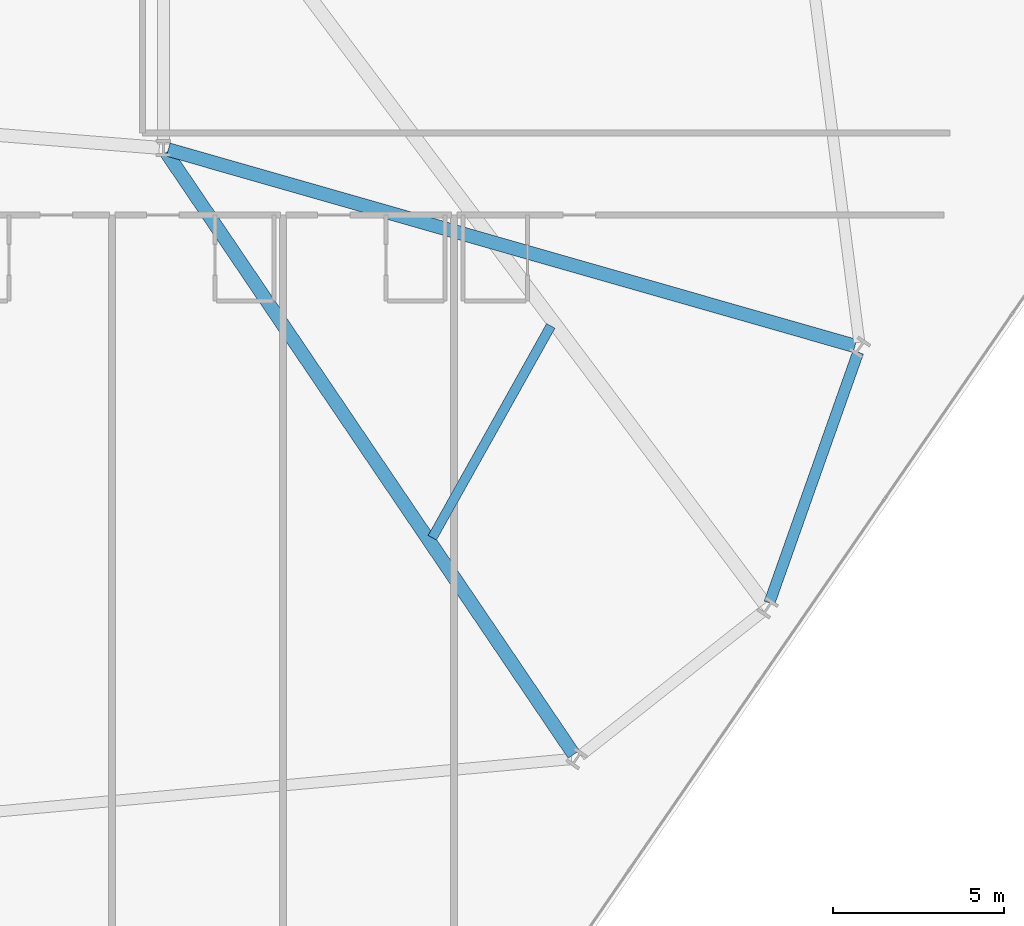
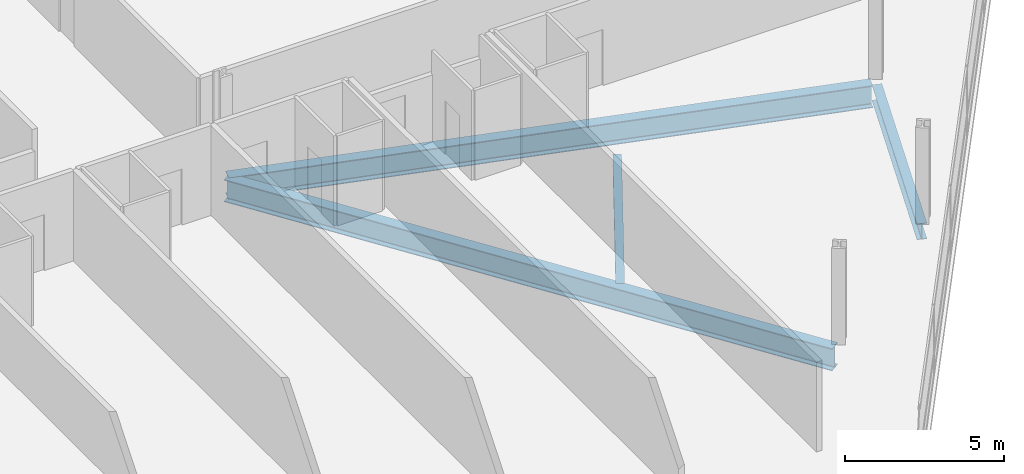
# One storey, part 10 of 27: 4 beams.
"""IFC4 building model written with IfcOpenShell, lengths in metres."""

from ifc_helpers import new_model, si_unit, direction, frame, origin, origin_2d, place, context, subcontext, project, spatial, i_section, extrude, material, material_profile, profile_set, type_object, element, save


model = new_model("IFC4")

# Units and contexts
model_context = context("Model", 3, precision=1e-05, world=origin(), true_north=direction((0.0, 1.0)))
body_context = subcontext(model_context, "Body", "Model", "MODEL_VIEW")
ifc_project = project(units=[si_unit("LENGTHUNIT", "METRE"), si_unit("AREAUNIT", "SQUARE_METRE"), si_unit("VOLUMEUNIT", "CUBIC_METRE"), si_unit("PLANEANGLEUNIT", "RADIAN"), si_unit("MASSUNIT", "GRAM", prefix="KILO")], contexts=[model_context])

# Site, building, storey
site_placement = place(None, origin())
site = spatial("IfcSite", under=ifc_project, at=site_placement, CompositionType="ELEMENT")
building_placement = place(site_placement, origin())
building = spatial("IfcBuilding", under=site, at=building_placement, Name="Varnelok Gate Tower", CompositionType="ELEMENT")
storey_placement = place(building_placement, frame((0.0, 0.0, 30.699951171875)))
storey = spatial("IfcBuildingStorey", under=building, at=storey_placement, Name="L06", CompositionType="ELEMENT", Elevation=30.699951171875)

# Beams
ifc_material = material(Name="Structural Steel ASTM A992 Grade 50", Category="steel")
ifc_material_profile_1 = material_profile(ifc_material, i_section(OverallWidth=0.280029296875, OverallDepth=0.462890625, WebThickness=0.0107421875, FlangeThickness=0.017333984375, FilletRadius=0.014892578125, at=origin_2d()), Name="W18X76")
ifc_profile_set_1 = profile_set([ifc_material_profile_1], Name="Structural Steel ASTM A992 Grade 50")
beam_type_1 = type_object("IfcBeamType", Name="BM-JST-W18X76", PredefinedType="JOIST", material=ifc_profile_set_1)
beam_1_placement = place(storey_placement, frame((61.863037109375, 7.41064453125, -0.4814453125), z_axis=(0.488383359311, 0.872629184905, 0.0), x_axis=(-0.872629184905, 0.488383359311, 0.0)))
element("IfcBeam", 1, at=beam_1_placement, inside=storey, type_object=beam_type_1, Name="L06 Sector Floor Joist 5", PredefinedType="JOIST", context=body_context, shape_type="SweptSolid", body=[
    extrude(i_section(OverallWidth=0.280029296875, OverallDepth=0.462890625, WebThickness=0.0107421875, FlangeThickness=0.017333984375, FilletRadius=0.014892578125, at=origin_2d()), origin(), (0.0, 0.0, 1.0), 7.096435546875),
])
ifc_material_profile_2 = material_profile(ifc_material, i_section(OverallWidth=0.39892578125, OverallDepth=0.85498046875, WebThickness=0.018310546875, FlangeThickness=0.029296875, FilletRadius=0.02392578125, at=origin_2d()), Name="W33X201")
ifc_profile_set_2 = profile_set([ifc_material_profile_2], Name="Structural Steel ASTM A992 Grade 50")
beam_type_2 = type_object("IfcBeamType", Name="BM-PRI-W33X201", PredefinedType="BEAM", material=ifc_profile_set_2)
beam_2_placement = place(storey_placement, frame((54.083984375, 18.67578125, -0.677490234375), z_axis=(0.560684565433, -0.828029478995, 0.0), x_axis=(0.828029478995, 0.560684565433, 0.0)))
element("IfcBeam", 2, at=beam_2_placement, inside=storey, type_object=beam_type_2, Name="L06 Radial Floor Girder 6", PredefinedType="BEAM", context=body_context, shape_type="SweptSolid", body=[
    extrude(i_section(OverallWidth=0.39892578125, OverallDepth=0.85498046875, WebThickness=0.018310546875, FlangeThickness=0.029296875, FilletRadius=0.02392578125, at=origin_2d()), origin(), (0.0, 0.0, 1.0), 21.25390625),
])
beam_3_placement = place(storey_placement, frame((54.144287109375, 18.7587890625, -0.677490234375), z_axis=(0.961463485116, -0.274932658643, 0.0), x_axis=(0.274932658643, 0.961463485116, 0.0)))
element("IfcBeam", 3, at=beam_3_placement, inside=storey, type_object=beam_type_2, Name="L06 Radial Floor Girder 8", PredefinedType="BEAM", context=body_context, shape_type="SweptSolid", body=[
    extrude(i_section(OverallWidth=0.39892578125, OverallDepth=0.85498046875, WebThickness=0.018310546875, FlangeThickness=0.029296875, FilletRadius=0.02392578125, at=origin_2d()), origin(), (0.0, 0.0, 1.0), 20.883056640625),
])
ifc_material_profile_3 = material_profile(ifc_material, i_section(OverallWidth=0.323974609375, OverallDepth=0.611083984375, WebThickness=0.0126953125, FlangeThickness=0.01904296875, FilletRadius=0.01806640625, at=origin_2d()), Name="W24X104")
ifc_profile_set_3 = profile_set([ifc_material_profile_3], Name="Structural Steel ASTM A992 Grade 50")
beam_type_3 = type_object("IfcBeamType", Name="BM-SPN-W24X104", PredefinedType="SPANDREL", material=ifc_profile_set_3)
beam_4_placement = place(storey_placement, frame((71.72021484375, 5.50390625, -0.555419921875), z_axis=(0.333887238705, 0.942613023372, 0.0), x_axis=(-0.942613023372, 0.333887238705, 0.0)))
element("IfcBeam", 4, at=beam_4_placement, inside=storey, type_object=beam_type_3, Name="L06 Perimeter Spandrel Beam 7", PredefinedType="SPANDREL", context=body_context, shape_type="SweptSolid", body=[
    extrude(i_section(OverallWidth=0.323974609375, OverallDepth=0.611083984375, WebThickness=0.0126953125, FlangeThickness=0.01904296875, FilletRadius=0.01806640625, at=origin_2d()), origin(), (0.0, 0.0, 1.0), 7.777099609375),
])

save(model, "model.ifc")
